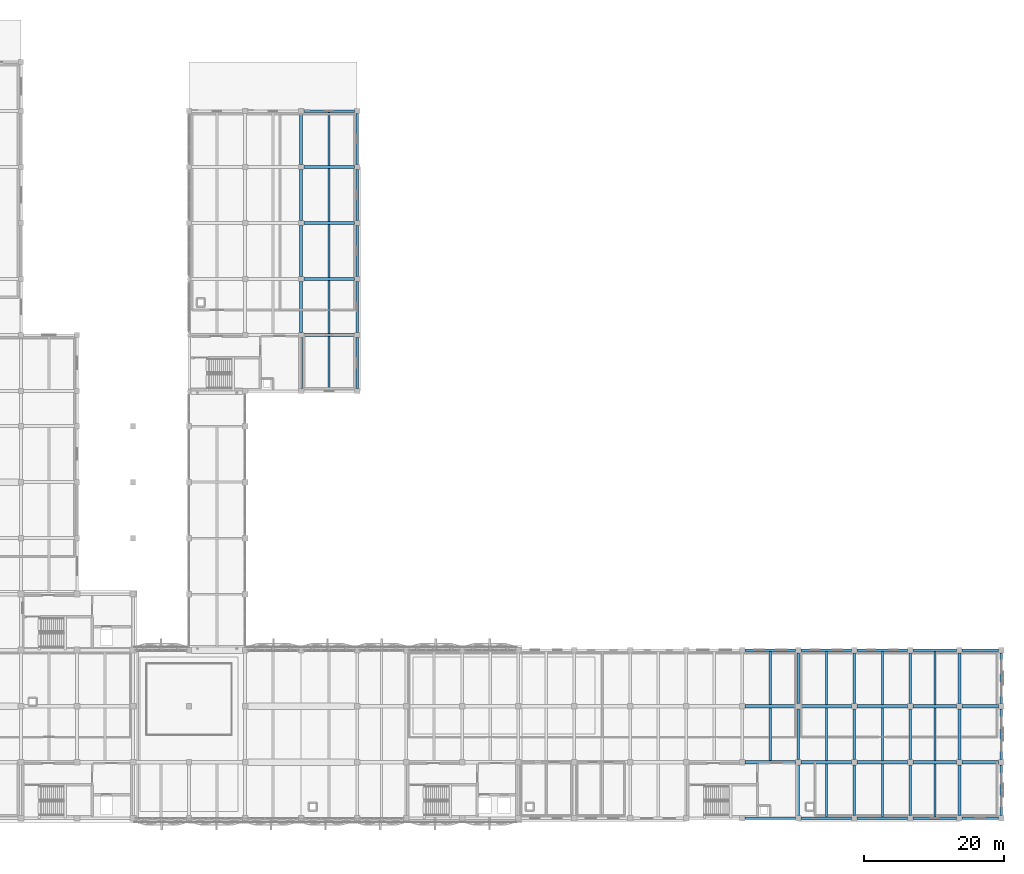
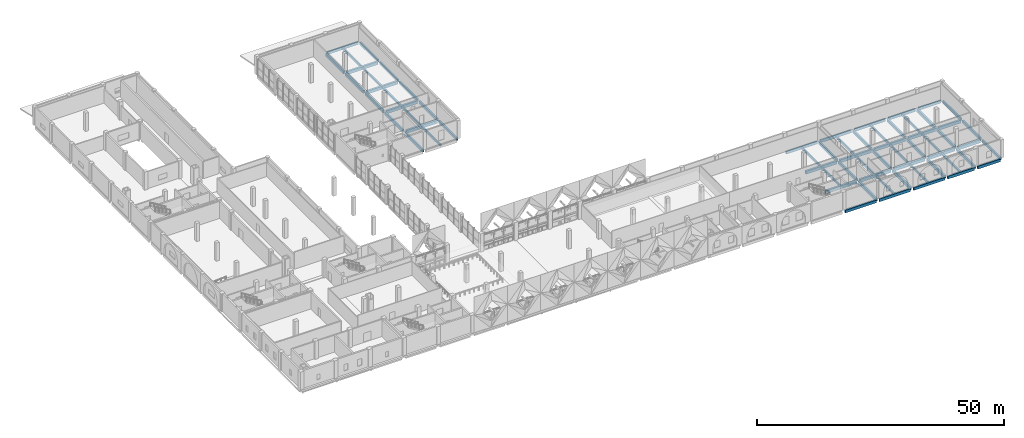
# One storey, part 21 of 53: 66 beams.
"""IFC4 building model written with IfcOpenShell, lengths in metres."""

from ifc_helpers import new_model, si_unit, direction, frame, origin, origin_2d, place, context, subcontext, project, spatial, rectangle, extrude, material, material_profile, profile_set, type_object, element, save


model = new_model("IFC4")

# Units and contexts
model_context = context("Model", 3, precision=1e-05, world=origin(), true_north=direction((0.0, 1.0)))
body_context = subcontext(model_context, "Body", "Model", "MODEL_VIEW")
ifc_project = project(units=[si_unit("LENGTHUNIT", "METRE"), si_unit("AREAUNIT", "SQUARE_METRE"), si_unit("VOLUMEUNIT", "CUBIC_METRE"), si_unit("PLANEANGLEUNIT", "RADIAN"), si_unit("MASSUNIT", "GRAM", prefix="KILO")], contexts=[model_context])

# Site, building, storey
site_placement = place(None, origin())
site = spatial("IfcSite", under=ifc_project, at=site_placement, CompositionType="ELEMENT")
building_placement = place(site_placement, origin())
building = spatial("IfcBuilding", under=site, at=building_placement, Name="Qorikala Patio Media Centre", CompositionType="ELEMENT")
storey_placement = place(building_placement, frame((0.0, 0.0, 5.39990234375)))
storey = spatial("IfcBuildingStorey", under=building, at=storey_placement, Name="L01", CompositionType="ELEMENT", Elevation=5.39990234375)

# Beams
ifc_material = material(Name="Concrete C35/45", Category="concrete")
ifc_material_profile_1 = material_profile(ifc_material, rectangle(XDim=0.39990234375, YDim=0.699951171875, at=origin_2d()), Name="RC 400x700")
ifc_profile_set_1 = profile_set([ifc_material_profile_1], Name="Concrete C35/45")
beam_type_1 = type_object("IfcBeamType", Name="BM-G400X700", PredefinedType="BEAM", material=ifc_profile_set_1)
for number, where, z_axis, x_axis, name in (
    (1, (67.0, 64.375, -0.64990234375), (0.0, 1.0, 0.0), (-1.0, 0.0, 0.0), "L01 Grid X=67 Beam 0617"),
    (2, (67.0, 72.375, -0.64990234375), (0.0, 1.0, 0.0), (-1.0, 0.0, 0.0), "L01 Grid X=67 Beam 0618"),
    (3, (67.0, 80.375, -0.64990234375), (0.0, 1.0, 0.0), (-1.0, 0.0, 0.0), "L01 Grid X=67 Beam 0619"),
    (4, (67.0, 88.375, -0.64990234375), (0.0, 1.0, 0.0), (-1.0, 0.0, 0.0), "L01 Grid X=67 Beam 0620"),
    (5, (67.0, 96.375, -0.64990234375), (0.0, 1.0, 0.0), (-1.0, 0.0, 0.0), "L01 Grid X=67 Beam 0621"),
    (6, (138.0, 3.375, -0.64990234375), (0.0, 1.0, 0.0), (-1.0, 0.0, 0.0), "L01 Grid X=138 Beam 0649"),
    (7, (138.0, 11.375, -0.64990234375), (0.0, 1.0, 0.0), (-1.0, 0.0, 0.0), "L01 Grid X=138 Beam 0650"),
    (8, (138.0, 19.375, -0.64990234375), (0.0, 1.0, 0.0), (-1.0, 0.0, 0.0), "L01 Grid X=138 Beam 0651"),
    (9, (146.0, 3.375, -0.64990234375), (0.0, 1.0, 0.0), (-1.0, 0.0, 0.0), "L01 Grid X=146 Beam 0652"),
    (10, (146.0, 11.375, -0.64990234375), (0.0, 1.0, 0.0), (-1.0, 0.0, 0.0), "L01 Grid X=146 Beam 0653"),
    (11, (146.0, 19.375, -0.64990234375), (0.0, 1.0, 0.0), (-1.0, 0.0, 0.0), "L01 Grid X=146 Beam 0654"),
    (12, (154.0, 3.375, -0.64990234375), (0.0, 1.0, 0.0), (-1.0, 0.0, 0.0), "L01 Grid X=154 Beam 0655"),
    (13, (154.0, 11.375, -0.64990234375), (0.0, 1.0, 0.0), (-1.0, 0.0, 0.0), "L01 Grid X=154 Beam 0656"),
    (14, (154.0, 19.375, -0.64990234375), (0.0, 1.0, 0.0), (-1.0, 0.0, 0.0), "L01 Grid X=154 Beam 0657"),
    (15, (161.0, 3.375, -0.64990234375), (0.0, 1.0, 0.0), (-1.0, 0.0, 0.0), "L01 Grid X=161 Beam 0658"),
    (16, (161.0, 11.375, -0.64990234375), (0.0, 1.0, 0.0), (-1.0, 0.0, 0.0), "L01 Grid X=161 Beam 0659"),
    (17, (161.0, 19.375, -0.64990234375), (0.0, 1.0, 0.0), (-1.0, 0.0, 0.0), "L01 Grid X=161 Beam 0660"),
):
    element("IfcBeam", number, at=place(storey_placement, frame(where, z_axis=z_axis, x_axis=x_axis)), inside=storey, type_object=beam_type_1, Name=name, PredefinedType="BEAM", context=body_context, shape_type="SweptSolid", body=[
        extrude(rectangle(XDim=0.39990234375, YDim=0.699951171875, at=origin_2d()), origin(), (0.0, 0.0, 1.0), 7.25),
    ])
ifc_material_profile_2 = material_profile(ifc_material, rectangle(XDim=0.449951171875, YDim=0.75, at=origin_2d()), Name="RC 450x750")
ifc_profile_set_2 = profile_set([ifc_material_profile_2], Name="Concrete C35/45")
beam_type_2 = type_object("IfcBeamType", Name="BM-G450X750", PredefinedType="BEAM", material=ifc_profile_set_2)
for number, where, z_axis, x_axis, name in (
    (18, (130.375, 11.0, -0.6748046875), (1.0, 0.0, 0.0), (0.0, 1.0, 0.0), "L01 Grid 11 Beam 0435"),
    (19, (138.375, 11.0, -0.6748046875), (1.0, 0.0, 0.0), (0.0, 1.0, 0.0), "L01 Grid 11 Beam 0436"),
    (20, (146.375, 11.0, -0.6748046875), (1.0, 0.0, 0.0), (0.0, 1.0, 0.0), "L01 Grid 11 Beam 0437"),
):
    element("IfcBeam", number, at=place(storey_placement, frame(where, z_axis=z_axis, x_axis=x_axis)), inside=storey, type_object=beam_type_2, Name=name, PredefinedType="BEAM", context=body_context, shape_type="SweptSolid", body=[
        extrude(rectangle(XDim=0.449951171875, YDim=0.75, at=origin_2d()), origin(), (0.0, 0.0, 1.0), 7.25),
    ])
beam_1_placement = place(storey_placement, frame((154.375, 11.0, -0.6748046875), z_axis=(1.0, 0.0, 0.0), x_axis=(0.0, 1.0, 0.0)))
element("IfcBeam", 21, at=beam_1_placement, inside=storey, type_object=beam_type_2, Name="L01 Grid 11 Beam 0438", PredefinedType="BEAM", context=body_context, shape_type="SweptSolid", body=[
    extrude(rectangle(XDim=0.449951171875, YDim=0.75, at=origin_2d()), origin(), (0.0, 0.0, 1.0), 6.25),
])
beam_2_placement = place(storey_placement, frame((161.375, 11.0, -0.6748046875), z_axis=(1.0, 0.0, 0.0), x_axis=(0.0, 1.0, 0.0)))
element("IfcBeam", 22, at=beam_2_placement, inside=storey, type_object=beam_type_2, Name="L01 Grid 11 Beam 0439", PredefinedType="BEAM", context=body_context, shape_type="SweptSolid", body=[
    extrude(rectangle(XDim=0.449951171875, YDim=0.75, at=origin_2d()), origin(), (0.0, 0.0, 1.0), 5.25),
])
for number, where, z_axis, x_axis, name in (
    (23, (130.375, 19.0, -0.6748046875), (1.0, 0.0, 0.0), (0.0, 1.0, 0.0), "L01 Grid 19 Beam 0452"),
    (24, (138.375, 19.0, -0.6748046875), (1.0, 0.0, 0.0), (0.0, 1.0, 0.0), "L01 Grid 19 Beam 0453"),
    (25, (146.375, 19.0, -0.6748046875), (1.0, 0.0, 0.0), (0.0, 1.0, 0.0), "L01 Grid 19 Beam 0454"),
):
    element("IfcBeam", number, at=place(storey_placement, frame(where, z_axis=z_axis, x_axis=x_axis)), inside=storey, type_object=beam_type_2, Name=name, PredefinedType="BEAM", context=body_context, shape_type="SweptSolid", body=[
        extrude(rectangle(XDim=0.449951171875, YDim=0.75, at=origin_2d()), origin(), (0.0, 0.0, 1.0), 7.25),
    ])
beam_3_placement = place(storey_placement, frame((154.375, 19.0, -0.6748046875), z_axis=(1.0, 0.0, 0.0), x_axis=(0.0, 1.0, 0.0)))
element("IfcBeam", 26, at=beam_3_placement, inside=storey, type_object=beam_type_2, Name="L01 Grid 19 Beam 0455", PredefinedType="BEAM", context=body_context, shape_type="SweptSolid", body=[
    extrude(rectangle(XDim=0.449951171875, YDim=0.75, at=origin_2d()), origin(), (0.0, 0.0, 1.0), 6.25),
])
beam_4_placement = place(storey_placement, frame((161.375, 19.0, -0.6748046875), z_axis=(1.0, 0.0, 0.0), x_axis=(0.0, 1.0, 0.0)))
element("IfcBeam", 27, at=beam_4_placement, inside=storey, type_object=beam_type_2, Name="L01 Grid 19 Beam 0456", PredefinedType="BEAM", context=body_context, shape_type="SweptSolid", body=[
    extrude(rectangle(XDim=0.449951171875, YDim=0.75, at=origin_2d()), origin(), (0.0, 0.0, 1.0), 5.25),
])
for number, where, z_axis, x_axis, name in (
    (28, (67.375, 72.0, -0.6748046875), (1.0, 0.0, 0.0), (0.0, 1.0, 0.0), "L01 Grid 72 Beam 0511"),
    (29, (67.375, 80.0, -0.6748046875), (1.0, 0.0, 0.0), (0.0, 1.0, 0.0), "L01 Grid 80 Beam 0516"),
    (30, (67.375, 88.0, -0.6748046875), (1.0, 0.0, 0.0), (0.0, 1.0, 0.0), "L01 Grid 88 Beam 0520"),
    (31, (67.375, 96.0, -0.6748046875), (1.0, 0.0, 0.0), (0.0, 1.0, 0.0), "L01 Grid 96 Beam 0525"),
):
    element("IfcBeam", number, at=place(storey_placement, frame(where, z_axis=z_axis, x_axis=x_axis)), inside=storey, type_object=beam_type_2, Name=name, PredefinedType="BEAM", context=body_context, shape_type="SweptSolid", body=[
        extrude(rectangle(XDim=0.449951171875, YDim=0.75, at=origin_2d()), origin(), (0.0, 0.0, 1.0), 7.25),
    ])
ifc_material_profile_3 = material_profile(ifc_material, rectangle(XDim=0.300048828125, YDim=0.550048828125, at=origin_2d()), Name="RC 300x550")
ifc_profile_set_3 = profile_set([ifc_material_profile_3], Name="Concrete C35/45")
beam_type_3 = type_object("IfcBeamType", Name="JS-300X550", PredefinedType="JOIST", material=ifc_profile_set_3)
beam_5_placement = place(storey_placement, frame((71.0, 64.175048828125, -0.574951171875), z_axis=(0.0, 1.0, 0.0), x_axis=(-1.0, 0.0, 0.0)))
element("IfcBeam", 32, at=beam_5_placement, inside=storey, type_object=beam_type_3, Name="L01 Secondary Joist 0721", PredefinedType="JOIST", context=body_context, shape_type="SweptSolid", body=[
    extrude(rectangle(XDim=0.300048828125, YDim=0.550048828125, at=origin_2d()), origin(), (0.0, 0.0, 1.0), 7.599853515625),
])
for number, where, z_axis, x_axis, name in (
    (33, (71.0, 72.22509765625, -0.574951171875), (0.0, 1.0, 0.0), (-1.0, 0.0, 0.0), "L01 Secondary Joist 0722"),
    (34, (71.0, 80.22509765625, -0.574951171875), (0.0, 1.0, 0.0), (-1.0, 0.0, 0.0), "L01 Secondary Joist 0723"),
    (35, (71.0, 88.22509765625, -0.574951171875), (0.0, 1.0, 0.0), (-1.0, 0.0, 0.0), "L01 Secondary Joist 0724"),
):
    element("IfcBeam", number, at=place(storey_placement, frame(where, z_axis=z_axis, x_axis=x_axis)), inside=storey, type_object=beam_type_3, Name=name, PredefinedType="JOIST", context=body_context, shape_type="SweptSolid", body=[
        extrude(rectangle(XDim=0.300048828125, YDim=0.550048828125, at=origin_2d()), origin(), (0.0, 0.0, 1.0), 7.5498046875),
    ])
beam_6_placement = place(storey_placement, frame((71.0, 96.22509765625, -0.574951171875), z_axis=(0.0, 1.0, 0.0), x_axis=(-1.0, 0.0, 0.0)))
element("IfcBeam", 36, at=beam_6_placement, inside=storey, type_object=beam_type_3, Name="L01 Secondary Joist 0725", PredefinedType="JOIST", context=body_context, shape_type="SweptSolid", body=[
    extrude(rectangle(XDim=0.300048828125, YDim=0.550048828125, at=origin_2d()), origin(), (0.0, 0.0, 1.0), 7.599853515625),
])
beam_7_placement = place(storey_placement, frame((134.0, 11.22509765625, -0.574951171875), z_axis=(0.0, 1.0, 0.0), x_axis=(-1.0, 0.0, 0.0)))
element("IfcBeam", 37, at=beam_7_placement, inside=storey, type_object=beam_type_3, Name="L01 Secondary Joist 0744", PredefinedType="JOIST", context=body_context, shape_type="SweptSolid", body=[
    extrude(rectangle(XDim=0.300048828125, YDim=0.550048828125, at=origin_2d()), origin(), (0.0, 0.0, 1.0), 7.5498046875),
])
for number, where, z_axis, x_axis, name in (
    (38, (134.0, 19.22509765625, -0.574951171875), (0.0, 1.0, 0.0), (-1.0, 0.0, 0.0), "L01 Secondary Joist 0745"),
    (39, (142.0, 3.175048828125, -0.574951171875), (0.0, 1.0, 0.0), (-1.0, 0.0, 0.0), "L01 Secondary Joist 0746"),
):
    element("IfcBeam", number, at=place(storey_placement, frame(where, z_axis=z_axis, x_axis=x_axis)), inside=storey, type_object=beam_type_3, Name=name, PredefinedType="JOIST", context=body_context, shape_type="SweptSolid", body=[
        extrude(rectangle(XDim=0.300048828125, YDim=0.550048828125, at=origin_2d()), origin(), (0.0, 0.0, 1.0), 7.599853515625),
    ])
beam_8_placement = place(storey_placement, frame((142.0, 11.22509765625, -0.574951171875), z_axis=(0.0, 1.0, 0.0), x_axis=(-1.0, 0.0, 0.0)))
element("IfcBeam", 40, at=beam_8_placement, inside=storey, type_object=beam_type_3, Name="L01 Secondary Joist 0747", PredefinedType="JOIST", context=body_context, shape_type="SweptSolid", body=[
    extrude(rectangle(XDim=0.300048828125, YDim=0.550048828125, at=origin_2d()), origin(), (0.0, 0.0, 1.0), 7.5498046875),
])
for number, where, z_axis, x_axis, name in (
    (41, (142.0, 19.22509765625, -0.574951171875), (0.0, 1.0, 0.0), (-1.0, 0.0, 0.0), "L01 Secondary Joist 0748"),
    (42, (150.0, 3.175048828125, -0.574951171875), (0.0, 1.0, 0.0), (-1.0, 0.0, 0.0), "L01 Secondary Joist 0749"),
):
    element("IfcBeam", number, at=place(storey_placement, frame(where, z_axis=z_axis, x_axis=x_axis)), inside=storey, type_object=beam_type_3, Name=name, PredefinedType="JOIST", context=body_context, shape_type="SweptSolid", body=[
        extrude(rectangle(XDim=0.300048828125, YDim=0.550048828125, at=origin_2d()), origin(), (0.0, 0.0, 1.0), 7.599853515625),
    ])
beam_9_placement = place(storey_placement, frame((150.0, 11.22509765625, -0.574951171875), z_axis=(0.0, 1.0, 0.0), x_axis=(-1.0, 0.0, 0.0)))
element("IfcBeam", 43, at=beam_9_placement, inside=storey, type_object=beam_type_3, Name="L01 Secondary Joist 0750", PredefinedType="JOIST", context=body_context, shape_type="SweptSolid", body=[
    extrude(rectangle(XDim=0.300048828125, YDim=0.550048828125, at=origin_2d()), origin(), (0.0, 0.0, 1.0), 7.5498046875),
])
for number, where, z_axis, x_axis, name in (
    (44, (150.0, 19.22509765625, -0.574951171875), (0.0, 1.0, 0.0), (-1.0, 0.0, 0.0), "L01 Secondary Joist 0751"),
    (45, (157.5, 3.175048828125, -0.574951171875), (0.0, 1.0, 0.0), (-1.0, 0.0, 0.0), "L01 Secondary Joist 0752"),
):
    element("IfcBeam", number, at=place(storey_placement, frame(where, z_axis=z_axis, x_axis=x_axis)), inside=storey, type_object=beam_type_3, Name=name, PredefinedType="JOIST", context=body_context, shape_type="SweptSolid", body=[
        extrude(rectangle(XDim=0.300048828125, YDim=0.550048828125, at=origin_2d()), origin(), (0.0, 0.0, 1.0), 7.599853515625),
    ])
beam_10_placement = place(storey_placement, frame((157.5, 11.22509765625, -0.574951171875), z_axis=(0.0, 1.0, 0.0), x_axis=(-1.0, 0.0, 0.0)))
element("IfcBeam", 46, at=beam_10_placement, inside=storey, type_object=beam_type_3, Name="L01 Secondary Joist 0753", PredefinedType="JOIST", context=body_context, shape_type="SweptSolid", body=[
    extrude(rectangle(XDim=0.300048828125, YDim=0.550048828125, at=origin_2d()), origin(), (0.0, 0.0, 1.0), 7.5498046875),
])
beam_11_placement = place(storey_placement, frame((157.5, 19.22509765625, -0.574951171875), z_axis=(0.0, 1.0, 0.0), x_axis=(-1.0, 0.0, 0.0)))
element("IfcBeam", 47, at=beam_11_placement, inside=storey, type_object=beam_type_3, Name="L01 Secondary Joist 0754", PredefinedType="JOIST", context=body_context, shape_type="SweptSolid", body=[
    extrude(rectangle(XDim=0.300048828125, YDim=0.550048828125, at=origin_2d()), origin(), (0.0, 0.0, 1.0), 7.599853515625),
])
ifc_material_profile_4 = material_profile(ifc_material, rectangle(XDim=0.35009765625, YDim=0.679931640625, at=origin_2d()), Name="RC 350x680")
ifc_profile_set_4 = profile_set([ifc_material_profile_4], Name="Concrete C35/45")
beam_type_4 = type_object("IfcBeamType", Name="SP-350X680", PredefinedType="SPANDREL", material=ifc_profile_set_4)
for number, where, z_axis, x_axis, name in (
    (48, (130.375, 3.0, -0.639892578125), (1.0, 0.0, 0.0), (0.0, 1.0, 0.0), "L01 Grid 3 Beam 0415"),
    (49, (138.375, 3.0, -0.639892578125), (1.0, 0.0, 0.0), (0.0, 1.0, 0.0), "L01 Grid 3 Beam 0416"),
    (50, (146.375, 3.0, -0.639892578125), (1.0, 0.0, 0.0), (0.0, 1.0, 0.0), "L01 Grid 3 Beam 0417"),
):
    element("IfcBeam", number, at=place(storey_placement, frame(where, z_axis=z_axis, x_axis=x_axis)), inside=storey, type_object=beam_type_4, Name=name, PredefinedType="SPANDREL", context=body_context, shape_type="SweptSolid", body=[
        extrude(rectangle(XDim=0.35009765625, YDim=0.679931640625, at=origin_2d()), origin(), (0.0, 0.0, 1.0), 7.25),
    ])
beam_12_placement = place(storey_placement, frame((154.375, 3.0, -0.639892578125), z_axis=(1.0, 0.0, 0.0), x_axis=(0.0, 1.0, 0.0)))
element("IfcBeam", 51, at=beam_12_placement, inside=storey, type_object=beam_type_4, Name="L01 Grid 3 Beam 0418", PredefinedType="SPANDREL", context=body_context, shape_type="SweptSolid", body=[
    extrude(rectangle(XDim=0.35009765625, YDim=0.679931640625, at=origin_2d()), origin(), (0.0, 0.0, 1.0), 6.25),
])
beam_13_placement = place(storey_placement, frame((161.375, 3.0, -0.639892578125), z_axis=(1.0, 0.0, 0.0), x_axis=(0.0, 1.0, 0.0)))
element("IfcBeam", 52, at=beam_13_placement, inside=storey, type_object=beam_type_4, Name="L01 Grid 3 Beam 0419", PredefinedType="SPANDREL", context=body_context, shape_type="SweptSolid", body=[
    extrude(rectangle(XDim=0.35009765625, YDim=0.679931640625, at=origin_2d()), origin(), (0.0, 0.0, 1.0), 5.25),
])
for number, where, z_axis, x_axis, name in (
    (53, (130.375, 27.0, -0.639892578125), (1.0, 0.0, 0.0), (0.0, 1.0, 0.0), "L01 Grid 27 Beam 0473"),
    (54, (138.375, 27.0, -0.639892578125), (1.0, 0.0, 0.0), (0.0, 1.0, 0.0), "L01 Grid 27 Beam 0474"),
    (55, (146.375, 27.0, -0.639892578125), (1.0, 0.0, 0.0), (0.0, 1.0, 0.0), "L01 Grid 27 Beam 0475"),
):
    element("IfcBeam", number, at=place(storey_placement, frame(where, z_axis=z_axis, x_axis=x_axis)), inside=storey, type_object=beam_type_4, Name=name, PredefinedType="SPANDREL", context=body_context, shape_type="SweptSolid", body=[
        extrude(rectangle(XDim=0.35009765625, YDim=0.679931640625, at=origin_2d()), origin(), (0.0, 0.0, 1.0), 7.25),
    ])
beam_14_placement = place(storey_placement, frame((154.375, 27.0, -0.639892578125), z_axis=(1.0, 0.0, 0.0), x_axis=(0.0, 1.0, 0.0)))
element("IfcBeam", 56, at=beam_14_placement, inside=storey, type_object=beam_type_4, Name="L01 Grid 27 Beam 0476", PredefinedType="SPANDREL", context=body_context, shape_type="SweptSolid", body=[
    extrude(rectangle(XDim=0.35009765625, YDim=0.679931640625, at=origin_2d()), origin(), (0.0, 0.0, 1.0), 6.25),
])
beam_15_placement = place(storey_placement, frame((161.375, 27.0, -0.639892578125), z_axis=(1.0, 0.0, 0.0), x_axis=(0.0, 1.0, 0.0)))
element("IfcBeam", 57, at=beam_15_placement, inside=storey, type_object=beam_type_4, Name="L01 Grid 27 Beam 0477", PredefinedType="SPANDREL", context=body_context, shape_type="SweptSolid", body=[
    extrude(rectangle(XDim=0.35009765625, YDim=0.679931640625, at=origin_2d()), origin(), (0.0, 0.0, 1.0), 5.25),
])
for number, where, z_axis, x_axis, name in (
    (58, (67.375, 104.0, -0.639892578125), (1.0, 0.0, 0.0), (0.0, 1.0, 0.0), "L01 Grid 104 Beam 0531"),
    (59, (75.0, 64.375, -0.639892578125), (0.0, 1.0, 0.0), (-1.0, 0.0, 0.0), "L01 Grid X=75 Beam 0625"),
    (60, (75.0, 72.375, -0.639892578125), (0.0, 1.0, 0.0), (-1.0, 0.0, 0.0), "L01 Grid X=75 Beam 0626"),
    (61, (75.0, 80.375, -0.639892578125), (0.0, 1.0, 0.0), (-1.0, 0.0, 0.0), "L01 Grid X=75 Beam 0627"),
    (62, (75.0, 88.375, -0.639892578125), (0.0, 1.0, 0.0), (-1.0, 0.0, 0.0), "L01 Grid X=75 Beam 0628"),
    (63, (75.0, 96.375, -0.639892578125), (0.0, 1.0, 0.0), (-1.0, 0.0, 0.0), "L01 Grid X=75 Beam 0629"),
    (64, (167.0, 3.375, -0.639892578125), (0.0, 1.0, 0.0), (-1.0, 0.0, 0.0), "L01 Grid X=167 Beam 0661"),
    (65, (167.0, 11.375, -0.639892578125), (0.0, 1.0, 0.0), (-1.0, 0.0, 0.0), "L01 Grid X=167 Beam 0662"),
    (66, (167.0, 19.375, -0.639892578125), (0.0, 1.0, 0.0), (-1.0, 0.0, 0.0), "L01 Grid X=167 Beam 0663"),
):
    element("IfcBeam", number, at=place(storey_placement, frame(where, z_axis=z_axis, x_axis=x_axis)), inside=storey, type_object=beam_type_4, Name=name, PredefinedType="SPANDREL", context=body_context, shape_type="SweptSolid", body=[
        extrude(rectangle(XDim=0.35009765625, YDim=0.679931640625, at=origin_2d()), origin(), (0.0, 0.0, 1.0), 7.25),
    ])

save(model, "model.ifc")
